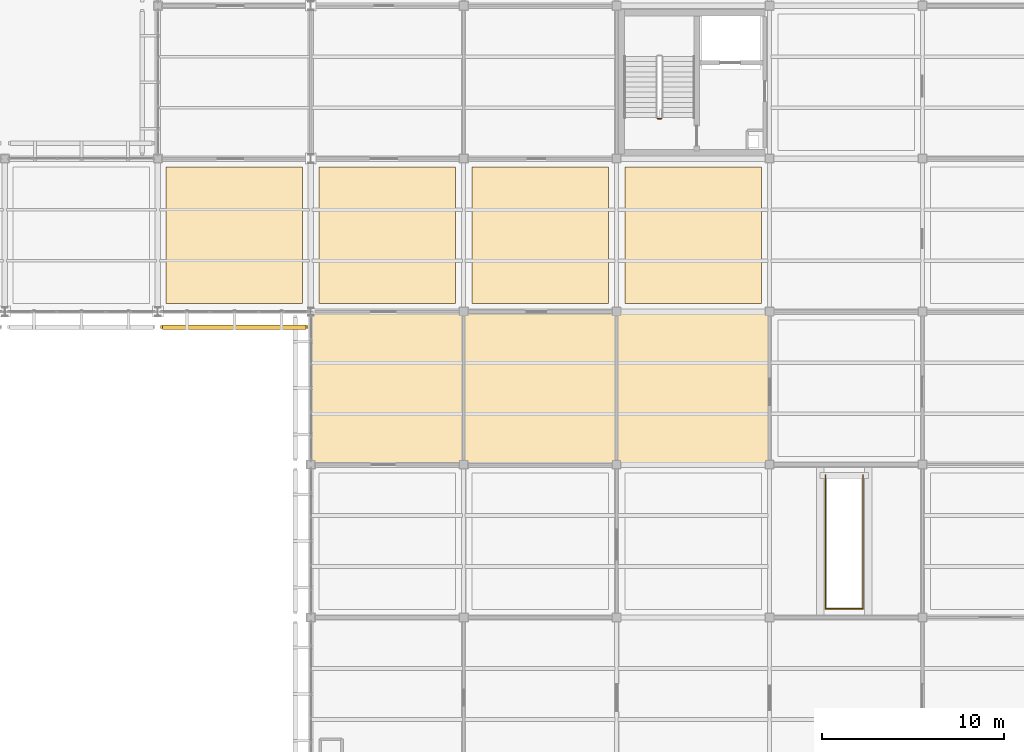
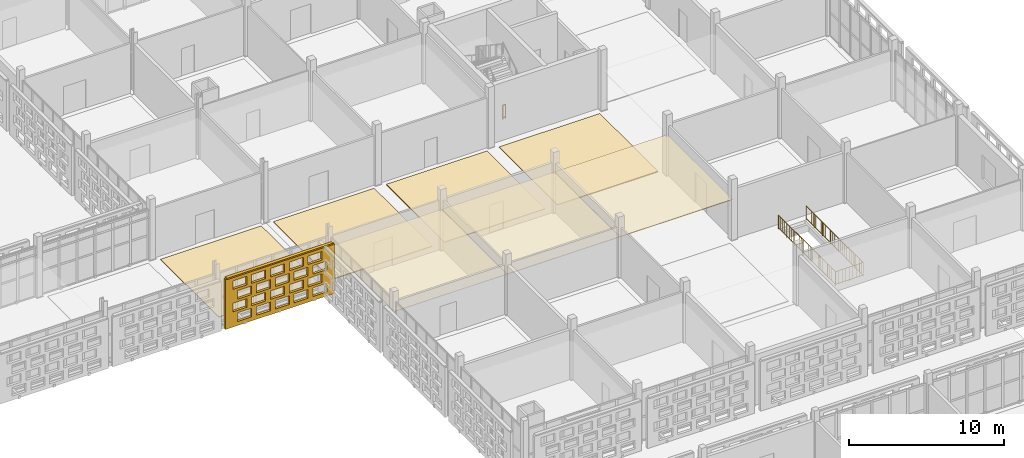
# One storey, part 197 of 203: 8 coverings, 4 railings, 1 shading device, 20 openings.
"""IFC4 building model written with IfcOpenShell, lengths in metres."""

import ifcopenshell
import ifcopenshell.guid

model = None  # the IFC model being written
_history = None  # IfcOwnerHistory: only IFC2X3 demands one
_inside = {}  # id of a spatial element -> (the spatial element, [elements in it])
_under = {}  # id of a project, library or spatial element -> (it, [spatial elements below it])
_declared = {}  # id of a project -> (the project, [libraries it declares])
_typed = {}  # id of a type object -> (the type object, [elements of that type])
_made_of = {}  # id of a material, layer set ... -> (it, [elements and type objects made of it])


def new_model(schema):
    """Start an empty IFC model of exactly this schema.

    Asked for "IFC4X3", IfcOpenShell would pick the latest addendum, in which some entities
    have other attributes; the version numbers below select the first issue.
    IFC2X3 requires an IfcOwnerHistory on every rooted entity: one is made here for all.
    """
    global model, _history
    if schema == "IFC4X3":
        model = ifcopenshell.file(schema_version=(4, 3, 0, 0))
    else:
        model = ifcopenshell.file(schema=schema)
    _inside.clear()
    _under.clear()
    _declared.clear()
    _typed.clear()
    _made_of.clear()
    _history = None
    if model.schema == "IFC2X3":
        org = make("IfcOrganization", Name="unknown")
        user = make(
            "IfcPersonAndOrganization",
            ThePerson=make("IfcPerson", FamilyName="unknown"),
            TheOrganization=org,
        )
        app = make(
            "IfcApplication",
            ApplicationDeveloper=org,
            Version="unknown",
            ApplicationFullName="unknown",
            ApplicationIdentifier="unknown",
        )
        _history = make(
            "IfcOwnerHistory",
            OwningUser=user,
            OwningApplication=app,
            ChangeAction="ADDED",
            CreationDate=0,
        )
    return model


def make(cls, **values):
    """One entity of the class cls with the attributes given. An attribute that is None is left unset."""
    return model.create_entity(
        cls, **{name: value for name, value in values.items() if value is not None}
    )


def rooted(cls, **values):
    """An entity with a GlobalId (a new one), such as an element, a storey or a relation."""
    return make(cls, GlobalId=ifcopenshell.guid.new(), OwnerHistory=_history, **values)


def si_unit(unit_type, name, prefix=None):
    """IfcSIUnit, for example si_unit("LENGTHUNIT", "METRE", prefix="MILLI")."""
    return make("IfcSIUnit", UnitType=unit_type, Prefix=prefix, Name=name)


def assignment(units):
    """IfcUnitAssignment: the units of a project."""
    return None if units is None else make("IfcUnitAssignment", Units=units)


def point(xyz):
    """IfcCartesianPoint."""
    return None if xyz is None else make("IfcCartesianPoint", Coordinates=xyz)


def direction(xyz):
    """IfcDirection."""
    return None if xyz is None else make("IfcDirection", DirectionRatios=xyz)


def frame(location, z_axis=None, x_axis=None):
    """IfcAxis2Placement3D, a coordinate frame: its origin and axes. An axis left out is left unset."""
    return make(
        "IfcAxis2Placement3D",
        Location=point(location),
        Axis=direction(z_axis),
        RefDirection=direction(x_axis),
    )


def frame_2d(location, x_axis=None):
    """IfcAxis2Placement2D, a coordinate frame in the plane: its origin and x axis."""
    return make(
        "IfcAxis2Placement2D", Location=point(location), RefDirection=direction(x_axis)
    )


def origin():
    """The frame at (0, 0, 0) with its axes left unset."""
    return frame((0.0, 0.0, 0.0))


def origin_2d():
    """The frame at (0, 0) in the plane with its x axis left unset."""
    return frame_2d((0.0, 0.0))


def place(relative_to, where):
    """IfcLocalPlacement: puts the frame where relative to a parent placement (None: the world)."""
    return make(
        "IfcLocalPlacement", PlacementRelTo=relative_to, RelativePlacement=where
    )


def context(
    kind, dimensions, precision=None, world=None, true_north=None, identifier=None
):
    """IfcGeometricRepresentationContext, for example the 3D "Model" context."""
    return make(
        "IfcGeometricRepresentationContext",
        ContextIdentifier=identifier,
        ContextType=kind,
        CoordinateSpaceDimension=dimensions,
        Precision=precision,
        WorldCoordinateSystem=world,
        TrueNorth=true_north,
    )


def subcontext(parent, identifier, kind, view, scale=None):
    """IfcGeometricRepresentationSubContext, for example "Body" below "Model"."""
    return make(
        "IfcGeometricRepresentationSubContext",
        ContextIdentifier=identifier,
        ContextType=kind,
        ParentContext=parent,
        TargetScale=scale,
        TargetView=view,
    )


def project(units=None, contexts=None):
    """IfcProject with its units and contexts."""
    return rooted(
        "IfcProject",
        Name="project",
        RepresentationContexts=contexts,
        UnitsInContext=assignment(units),
    )


def spatial(cls, under=None, at=None, **own):
    """A site, building, storey or space (cls), placed at a placement, below another one or the project."""
    s = rooted(cls, ObjectPlacement=at, **own)
    if under is not None:
        _under.setdefault(under.id(), (under, []))[1].append(s)
    return s


def profile(cls, at=None, kind="AREA", **sizes):
    """A parametric profile (cls). Its sizes go by their IFC names, for example OverallWidth=200.0."""
    return make(cls, ProfileType=kind, Position=at, **sizes)


def rectangle(**sizes):
    """IfcRectangleProfileDef."""
    return profile("IfcRectangleProfileDef", **sizes)


def circle(**sizes):
    """IfcCircleProfileDef."""
    return profile("IfcCircleProfileDef", **sizes)


def extrude(swept, where, along, depth):
    """IfcExtrudedAreaSolid: the profile swept, set in the frame where, extruded along a direction by depth."""
    return make(
        "IfcExtrudedAreaSolid",
        SweptArea=swept,
        Position=where,
        ExtrudedDirection=direction(along),
        Depth=depth,
    )


def shape(context_of_items, identifier, shape_type, items):
    """IfcShapeRepresentation: the items that make up one representation, for example the "Body"."""
    return make(
        "IfcShapeRepresentation",
        ContextOfItems=context_of_items,
        RepresentationIdentifier=identifier,
        RepresentationType=shape_type,
        Items=items,
    )


def material(Name=None, Category=None):
    """IfcMaterial."""
    return make("IfcMaterial", Name=Name, Category=Category)


def layer(
    of_material, thickness, ventilated=None, Name=None, Category=None, Priority=None
):
    """IfcMaterialLayer: one layer of a wall or slab, of a material (None: an air gap)."""
    return make(
        "IfcMaterialLayer",
        Material=of_material,
        LayerThickness=thickness,
        IsVentilated=ventilated,
        Name=Name,
        Category=Category,
        Priority=Priority,
    )


def layer_set(layers, Name=None):
    """IfcMaterialLayerSet."""
    return make("IfcMaterialLayerSet", MaterialLayers=layers, LayerSetName=Name)


def made_of(thing, what):
    """Note that an element or type object is made of a material, layer set ...; save() writes the relation."""
    if what is not None:
        _made_of.setdefault(what.id(), (what, []))[1].append(thing)
    return thing


def type_object(cls, material=None, **own):
    """A type object (cls), such as IfcWallType, which elements share."""
    return made_of(rooted(cls, **own), material)


def element(
    cls,
    number,
    at=None,
    inside=None,
    cuts=None,
    type_object=None,
    material=None,
    context=None,
    identifier="Body",
    shape_type=None,
    held_by="IfcProductDefinitionShape",
    body=None,
    shapes=None,
    **own,
):
    """One element of the class cls, such as IfcWall. Its Tag is "e" and its number.

    at: its placement. inside: the storey or other place that contains it. cuts: it is an
    opening in that element (IfcRelVoidsElement). A single representation is given by context,
    identifier, shape_type and body (its items); several are given by shapes. held_by: the class
    of the entity that holds the representations. save() writes the other relations.
    """
    e = rooted(cls, Tag="e%d" % number, ObjectPlacement=at, **own)
    if body is not None:
        shapes = [shape(context, identifier, shape_type, body)]
    if shapes is not None:
        e.Representation = make(held_by, Representations=shapes)
    if inside is not None:
        _inside.setdefault(inside.id(), (inside, []))[1].append(e)
    if cuts is not None:
        rooted(
            "IfcRelVoidsElement", RelatingBuildingElement=cuts, RelatedOpeningElement=e
        )
    if type_object is not None:
        _typed.setdefault(type_object.id(), (type_object, []))[1].append(e)
    return made_of(e, material)


def aggregate(whole, parts):
    """IfcRelAggregates: a whole, such as a stair, and the parts it consists of."""
    return rooted("IfcRelAggregates", RelatingObject=whole, RelatedObjects=parts)


def save(model, path):
    """Write the relations noted so far, then the file.

    IfcRelAggregates (storeys below a building ...), IfcRelContainedInSpatialStructure (elements
    in a storey), IfcRelDefinesByType, IfcRelAssociatesMaterial and IfcRelDeclares: one each for
    every whole, place, type object, material and project.
    """
    for whole, parts in _under.values():
        aggregate(whole, parts)
    for where, things in _inside.values():
        rooted(
            "IfcRelContainedInSpatialStructure",
            RelatedElements=things,
            RelatingStructure=where,
        )
    for kind, things in _typed.values():
        rooted("IfcRelDefinesByType", RelatedObjects=things, RelatingType=kind)
    for what, things in _made_of.values():
        rooted("IfcRelAssociatesMaterial", RelatedObjects=things, RelatingMaterial=what)
    for by, libraries in _declared.values():
        rooted("IfcRelDeclares", RelatingContext=by, RelatedDefinitions=libraries)
    model.write(path)


model = new_model("IFC4")

# Units and contexts
model_context = context("Model", 3, precision=1e-05, world=origin(), true_north=direction((0.0, 1.0)))
body_context = subcontext(model_context, "Body", "Model", "MODEL_VIEW")
ifc_project = project(units=[si_unit("LENGTHUNIT", "METRE"), si_unit("AREAUNIT", "SQUARE_METRE"), si_unit("VOLUMEUNIT", "CUBIC_METRE"), si_unit("PLANEANGLEUNIT", "RADIAN"), si_unit("MASSUNIT", "GRAM", prefix="KILO")], contexts=[model_context])

# Site, building, storey
site_placement = place(None, origin())
site = spatial("IfcSite", under=ifc_project, at=site_placement, CompositionType="ELEMENT")
building_placement = place(site_placement, origin())
building = spatial("IfcBuilding", under=site, at=building_placement, Name="Varnapada Polytechnic", CompositionType="ELEMENT")
storey_placement = place(building_placement, frame((0.0, 0.0, 4.800048828125)))
storey = spatial("IfcBuildingStorey", under=building, at=storey_placement, Name="L01", CompositionType="ELEMENT", Elevation=4.800048828125)

# Coverings
ifc_material_1 = material(Name="Anti-Static Raised Laboratory Flooring")
ifc_layer_1 = layer(ifc_material_1, 0.06005859375)
ifc_layer_set_1 = layer_set([ifc_layer_1], Name="Anti-Static Raised Laboratory Flooring")
covering_type_1 = type_object("IfcCoveringType", Name="Floor Finish FLR-02", PredefinedType="FLOORING", material=ifc_layer_set_1)
for number, where, z_axis, x_axis, name in (
    (1, (138.60009765625, 88.199951171875, 0.0), (0.0, 0.0, 1.0), (1.0, 0.0, 0.0), "L01 floor finish panel (17,11)"),
    (2, (147.0, 88.199951171875, 0.0), (0.0, 0.0, 1.0), (1.0, 0.0, 0.0), "L01 floor finish panel (18,11)"),
    (3, (155.39990234375, 88.199951171875, 0.0), (0.0, 0.0, 1.0), (1.0, 0.0, 0.0), "L01 floor finish panel (19,11)"),
):
    element("IfcCovering", number, at=place(storey_placement, frame(where, z_axis=z_axis, x_axis=x_axis)), inside=storey, type_object=covering_type_1, Name=name, PredefinedType="FLOORING", context=body_context, shape_type="SweptSolid", body=[
        extrude(rectangle(XDim=7.5, YDim=7.5, at=origin_2d()), origin(), (0.0, 0.0, 1.0), 0.06005859375),
    ])
ifc_material_2 = material(Name="Acoustic Rubber Seminar Flooring")
ifc_layer_2 = layer(ifc_material_2, 0.0400390625)
ifc_layer_set_2 = layer_set([ifc_layer_2], Name="Acoustic Rubber Seminar Flooring")
covering_type_2 = type_object("IfcCoveringType", Name="Floor Finish FLR-06", PredefinedType="FLOORING", material=ifc_layer_set_2)
covering_1_placement = place(storey_placement, frame((130.199951171875, 88.199951171875, 0.0), z_axis=(0.0, 0.0, 1.0), x_axis=(1.0, 0.0, 0.0)))
element("IfcCovering", 4, at=covering_1_placement, inside=storey, type_object=covering_type_2, Name="L01 floor finish panel (16,11)", PredefinedType="FLOORING", context=body_context, shape_type="SweptSolid", body=[
    extrude(rectangle(XDim=7.5, YDim=7.5, at=origin_2d()), origin(), (0.0, 0.0, 1.0), 0.0400390625),
])

# Railings
ifc_material_3 = material(Name="Brushed Stainless Steel 316", Category="steel")
railing_type = type_object("IfcRailingType", Name="Stair Well Guard Rail SGR-01", PredefinedType="BALUSTRADE", material=ifc_material_3)
railing_1_placement = place(storey_placement, frame((153.64990234375, 94.60009765625, 0.0)))
element("IfcRailing", 5, at=railing_1_placement, inside=storey, type_object=railing_type, Name="L01 ST-5 stair guard 4", PredefinedType="BALUSTRADE", context=body_context, shape_type="SweptSolid", body=[
    extrude(circle(Radius=0.02392578125, at=origin_2d()), frame((0.0, 0.0, 1.09619140625), z_axis=(-1.0, 0.0, 0.0), x_axis=(0.0, -1.0, 0.0)), (0.0, 0.0, 1.0), 0.199951171875),
    extrude(circle(Radius=0.02392578125, at=origin_2d()), frame((0.0, 0.0, 0.10009765625), z_axis=(-1.0, 0.0, 0.0), x_axis=(0.0, -1.0, 0.0)), (0.0, 0.0, 1.0), 0.199951171875),
    extrude(circle(Radius=0.02099609375, at=origin_2d()), origin(), (0.0, 0.0, 1.0), 1.072021484375),
    extrude(circle(Radius=0.02099609375, at=origin_2d()), frame((-0.199951171875, 0.0, 0.0)), (0.0, 0.0, 1.0), 1.072021484375),
])
railing_2_placement = place(storey_placement, frame((162.669921875, 67.679931640625, 0.0)))
element("IfcRailing", 6, at=railing_2_placement, inside=storey, type_object=railing_type, Name="L01 commons stair ST-F4 well guard 1", PredefinedType="BALUSTRADE", context=body_context, shape_type="SweptSolid", body=[
    extrude(circle(Radius=0.02392578125, at=origin_2d()), frame((0.0, 0.0, 1.09619140625), z_axis=(0.0, 1.0, 0.0), x_axis=(-1.0, 0.0, 0.0)), (0.0, 0.0, 1.0), 7.340087890625),
    extrude(circle(Radius=0.02392578125, at=origin_2d()), frame((0.0, 0.0, 0.10009765625), z_axis=(0.0, 1.0, 0.0), x_axis=(-1.0, 0.0, 0.0)), (0.0, 0.0, 1.0), 7.340087890625),
    extrude(circle(Radius=0.02099609375, at=origin_2d()), origin(), (0.0, 0.0, 1.0), 1.072021484375),
    extrude(circle(Radius=0.02099609375, at=origin_2d()), frame((0.0, 1.048583984375, 0.0)), (0.0, 0.0, 1.0), 1.072021484375),
    extrude(circle(Radius=0.02099609375, at=origin_2d()), frame((0.0, 2.09716796875, 0.0)), (0.0, 0.0, 1.0), 1.072021484375),
    extrude(circle(Radius=0.02099609375, at=origin_2d()), frame((0.0, 3.145751953125, 0.0)), (0.0, 0.0, 1.0), 1.072021484375),
    extrude(circle(Radius=0.02099609375, at=origin_2d()), frame((0.0, 4.1943359375, 0.0)), (0.0, 0.0, 1.0), 1.072021484375),
    extrude(circle(Radius=0.02099609375, at=origin_2d()), frame((0.0, 5.242919921875, 0.0)), (0.0, 0.0, 1.0), 1.072021484375),
    extrude(circle(Radius=0.02099609375, at=origin_2d()), frame((0.0, 6.29150390625, 0.0)), (0.0, 0.0, 1.0), 1.072021484375),
    extrude(circle(Radius=0.02099609375, at=origin_2d()), frame((0.0, 7.340087890625, 0.0)), (0.0, 0.0, 1.0), 1.072021484375),
    extrude(circle(Radius=0.010009765625, at=origin_2d()), frame((0.0, 0.24462890625, 0.10009765625)), (0.0, 0.0, 1.0), 0.971923828125),
    extrude(circle(Radius=0.010009765625, at=origin_2d()), frame((0.0, 0.4892578125, 0.10009765625)), (0.0, 0.0, 1.0), 0.971923828125),
    extrude(circle(Radius=0.010009765625, at=origin_2d()), frame((0.0, 0.73388671875, 0.10009765625)), (0.0, 0.0, 1.0), 0.971923828125),
    extrude(circle(Radius=0.010009765625, at=origin_2d()), frame((0.0, 0.978759765625, 0.10009765625)), (0.0, 0.0, 1.0), 0.971923828125),
    extrude(circle(Radius=0.010009765625, at=origin_2d()), frame((0.0, 1.223388671875, 0.10009765625)), (0.0, 0.0, 1.0), 0.971923828125),
    extrude(circle(Radius=0.010009765625, at=origin_2d()), frame((0.0, 1.468017578125, 0.10009765625)), (0.0, 0.0, 1.0), 0.971923828125),
    extrude(circle(Radius=0.010009765625, at=origin_2d()), frame((0.0, 1.712646484375, 0.10009765625)), (0.0, 0.0, 1.0), 0.971923828125),
    extrude(circle(Radius=0.010009765625, at=origin_2d()), frame((0.0, 1.957275390625, 0.10009765625)), (0.0, 0.0, 1.0), 0.971923828125),
    extrude(circle(Radius=0.010009765625, at=origin_2d()), frame((0.0, 2.2021484375, 0.10009765625)), (0.0, 0.0, 1.0), 0.971923828125),
    extrude(circle(Radius=0.010009765625, at=origin_2d()), frame((0.0, 2.44677734375, 0.10009765625)), (0.0, 0.0, 1.0), 0.971923828125),
    extrude(circle(Radius=0.010009765625, at=origin_2d()), frame((0.0, 2.69140625, 0.10009765625)), (0.0, 0.0, 1.0), 0.971923828125),
    extrude(circle(Radius=0.010009765625, at=origin_2d()), frame((0.0, 2.93603515625, 0.10009765625)), (0.0, 0.0, 1.0), 0.971923828125),
    extrude(circle(Radius=0.010009765625, at=origin_2d()), frame((0.0, 3.1806640625, 0.10009765625)), (0.0, 0.0, 1.0), 0.971923828125),
    extrude(circle(Radius=0.010009765625, at=origin_2d()), frame((0.0, 3.42529296875, 0.10009765625)), (0.0, 0.0, 1.0), 0.971923828125),
    extrude(circle(Radius=0.010009765625, at=origin_2d()), frame((0.0, 3.669921875, 0.10009765625)), (0.0, 0.0, 1.0), 0.971923828125),
    extrude(circle(Radius=0.010009765625, at=origin_2d()), frame((0.0, 3.914794921875, 0.10009765625)), (0.0, 0.0, 1.0), 0.971923828125),
    extrude(circle(Radius=0.010009765625, at=origin_2d()), frame((0.0, 4.159423828125, 0.10009765625)), (0.0, 0.0, 1.0), 0.971923828125),
    extrude(circle(Radius=0.010009765625, at=origin_2d()), frame((0.0, 4.404052734375, 0.10009765625)), (0.0, 0.0, 1.0), 0.971923828125),
    extrude(circle(Radius=0.010009765625, at=origin_2d()), frame((0.0, 4.648681640625, 0.10009765625)), (0.0, 0.0, 1.0), 0.971923828125),
    extrude(circle(Radius=0.010009765625, at=origin_2d()), frame((0.0, 4.893310546875, 0.10009765625)), (0.0, 0.0, 1.0), 0.971923828125),
    extrude(circle(Radius=0.010009765625, at=origin_2d()), frame((0.0, 5.13818359375, 0.10009765625)), (0.0, 0.0, 1.0), 0.971923828125),
    extrude(circle(Radius=0.010009765625, at=origin_2d()), frame((0.0, 5.3828125, 0.10009765625)), (0.0, 0.0, 1.0), 0.971923828125),
    extrude(circle(Radius=0.010009765625, at=origin_2d()), frame((0.0, 5.62744140625, 0.10009765625)), (0.0, 0.0, 1.0), 0.971923828125),
    extrude(circle(Radius=0.010009765625, at=origin_2d()), frame((0.0, 5.8720703125, 0.10009765625)), (0.0, 0.0, 1.0), 0.971923828125),
    extrude(circle(Radius=0.010009765625, at=origin_2d()), frame((0.0, 6.11669921875, 0.10009765625)), (0.0, 0.0, 1.0), 0.971923828125),
    extrude(circle(Radius=0.010009765625, at=origin_2d()), frame((0.0, 6.361328125, 0.10009765625)), (0.0, 0.0, 1.0), 0.971923828125),
    extrude(circle(Radius=0.010009765625, at=origin_2d()), frame((0.0, 6.60595703125, 0.10009765625)), (0.0, 0.0, 1.0), 0.971923828125),
    extrude(circle(Radius=0.010009765625, at=origin_2d()), frame((0.0, 6.850830078125, 0.10009765625)), (0.0, 0.0, 1.0), 0.971923828125),
    extrude(circle(Radius=0.010009765625, at=origin_2d()), frame((0.0, 7.095458984375, 0.10009765625)), (0.0, 0.0, 1.0), 0.971923828125),
])
railing_3_placement = place(storey_placement, frame((164.72998046875, 67.679931640625, 0.0)))
element("IfcRailing", 7, at=railing_3_placement, inside=storey, type_object=railing_type, Name="L01 commons stair ST-F4 well guard 2", PredefinedType="BALUSTRADE", context=body_context, shape_type="SweptSolid", body=[
    extrude(circle(Radius=0.02392578125, at=origin_2d()), frame((0.0, 0.0, 1.09619140625), z_axis=(0.0, 1.0, 0.0), x_axis=(-1.0, 0.0, 0.0)), (0.0, 0.0, 1.0), 7.340087890625),
    extrude(circle(Radius=0.02392578125, at=origin_2d()), frame((0.0, 0.0, 0.10009765625), z_axis=(0.0, 1.0, 0.0), x_axis=(-1.0, 0.0, 0.0)), (0.0, 0.0, 1.0), 7.340087890625),
    extrude(circle(Radius=0.02099609375, at=origin_2d()), origin(), (0.0, 0.0, 1.0), 1.072021484375),
    extrude(circle(Radius=0.02099609375, at=origin_2d()), frame((0.0, 1.048583984375, 0.0)), (0.0, 0.0, 1.0), 1.072021484375),
    extrude(circle(Radius=0.02099609375, at=origin_2d()), frame((0.0, 2.09716796875, 0.0)), (0.0, 0.0, 1.0), 1.072021484375),
    extrude(circle(Radius=0.02099609375, at=origin_2d()), frame((0.0, 3.145751953125, 0.0)), (0.0, 0.0, 1.0), 1.072021484375),
    extrude(circle(Radius=0.02099609375, at=origin_2d()), frame((0.0, 4.1943359375, 0.0)), (0.0, 0.0, 1.0), 1.072021484375),
    extrude(circle(Radius=0.02099609375, at=origin_2d()), frame((0.0, 5.242919921875, 0.0)), (0.0, 0.0, 1.0), 1.072021484375),
    extrude(circle(Radius=0.02099609375, at=origin_2d()), frame((0.0, 6.29150390625, 0.0)), (0.0, 0.0, 1.0), 1.072021484375),
    extrude(circle(Radius=0.02099609375, at=origin_2d()), frame((0.0, 7.340087890625, 0.0)), (0.0, 0.0, 1.0), 1.072021484375),
    extrude(circle(Radius=0.010009765625, at=origin_2d()), frame((0.0, 0.24462890625, 0.10009765625)), (0.0, 0.0, 1.0), 0.971923828125),
    extrude(circle(Radius=0.010009765625, at=origin_2d()), frame((0.0, 0.4892578125, 0.10009765625)), (0.0, 0.0, 1.0), 0.971923828125),
    extrude(circle(Radius=0.010009765625, at=origin_2d()), frame((0.0, 0.73388671875, 0.10009765625)), (0.0, 0.0, 1.0), 0.971923828125),
    extrude(circle(Radius=0.010009765625, at=origin_2d()), frame((0.0, 0.978759765625, 0.10009765625)), (0.0, 0.0, 1.0), 0.971923828125),
    extrude(circle(Radius=0.010009765625, at=origin_2d()), frame((0.0, 1.223388671875, 0.10009765625)), (0.0, 0.0, 1.0), 0.971923828125),
    extrude(circle(Radius=0.010009765625, at=origin_2d()), frame((0.0, 1.468017578125, 0.10009765625)), (0.0, 0.0, 1.0), 0.971923828125),
    extrude(circle(Radius=0.010009765625, at=origin_2d()), frame((0.0, 1.712646484375, 0.10009765625)), (0.0, 0.0, 1.0), 0.971923828125),
    extrude(circle(Radius=0.010009765625, at=origin_2d()), frame((0.0, 1.957275390625, 0.10009765625)), (0.0, 0.0, 1.0), 0.971923828125),
    extrude(circle(Radius=0.010009765625, at=origin_2d()), frame((0.0, 2.2021484375, 0.10009765625)), (0.0, 0.0, 1.0), 0.971923828125),
    extrude(circle(Radius=0.010009765625, at=origin_2d()), frame((0.0, 2.44677734375, 0.10009765625)), (0.0, 0.0, 1.0), 0.971923828125),
    extrude(circle(Radius=0.010009765625, at=origin_2d()), frame((0.0, 2.69140625, 0.10009765625)), (0.0, 0.0, 1.0), 0.971923828125),
    extrude(circle(Radius=0.010009765625, at=origin_2d()), frame((0.0, 2.93603515625, 0.10009765625)), (0.0, 0.0, 1.0), 0.971923828125),
    extrude(circle(Radius=0.010009765625, at=origin_2d()), frame((0.0, 3.1806640625, 0.10009765625)), (0.0, 0.0, 1.0), 0.971923828125),
    extrude(circle(Radius=0.010009765625, at=origin_2d()), frame((0.0, 3.42529296875, 0.10009765625)), (0.0, 0.0, 1.0), 0.971923828125),
    extrude(circle(Radius=0.010009765625, at=origin_2d()), frame((0.0, 3.669921875, 0.10009765625)), (0.0, 0.0, 1.0), 0.971923828125),
    extrude(circle(Radius=0.010009765625, at=origin_2d()), frame((0.0, 3.914794921875, 0.10009765625)), (0.0, 0.0, 1.0), 0.971923828125),
    extrude(circle(Radius=0.010009765625, at=origin_2d()), frame((0.0, 4.159423828125, 0.10009765625)), (0.0, 0.0, 1.0), 0.971923828125),
    extrude(circle(Radius=0.010009765625, at=origin_2d()), frame((0.0, 4.404052734375, 0.10009765625)), (0.0, 0.0, 1.0), 0.971923828125),
    extrude(circle(Radius=0.010009765625, at=origin_2d()), frame((0.0, 4.648681640625, 0.10009765625)), (0.0, 0.0, 1.0), 0.971923828125),
    extrude(circle(Radius=0.010009765625, at=origin_2d()), frame((0.0, 4.893310546875, 0.10009765625)), (0.0, 0.0, 1.0), 0.971923828125),
    extrude(circle(Radius=0.010009765625, at=origin_2d()), frame((0.0, 5.13818359375, 0.10009765625)), (0.0, 0.0, 1.0), 0.971923828125),
    extrude(circle(Radius=0.010009765625, at=origin_2d()), frame((0.0, 5.3828125, 0.10009765625)), (0.0, 0.0, 1.0), 0.971923828125),
    extrude(circle(Radius=0.010009765625, at=origin_2d()), frame((0.0, 5.62744140625, 0.10009765625)), (0.0, 0.0, 1.0), 0.971923828125),
    extrude(circle(Radius=0.010009765625, at=origin_2d()), frame((0.0, 5.8720703125, 0.10009765625)), (0.0, 0.0, 1.0), 0.971923828125),
    extrude(circle(Radius=0.010009765625, at=origin_2d()), frame((0.0, 6.11669921875, 0.10009765625)), (0.0, 0.0, 1.0), 0.971923828125),
    extrude(circle(Radius=0.010009765625, at=origin_2d()), frame((0.0, 6.361328125, 0.10009765625)), (0.0, 0.0, 1.0), 0.971923828125),
    extrude(circle(Radius=0.010009765625, at=origin_2d()), frame((0.0, 6.60595703125, 0.10009765625)), (0.0, 0.0, 1.0), 0.971923828125),
    extrude(circle(Radius=0.010009765625, at=origin_2d()), frame((0.0, 6.850830078125, 0.10009765625)), (0.0, 0.0, 1.0), 0.971923828125),
    extrude(circle(Radius=0.010009765625, at=origin_2d()), frame((0.0, 7.095458984375, 0.10009765625)), (0.0, 0.0, 1.0), 0.971923828125),
])
railing_4_placement = place(storey_placement, frame((162.669921875, 67.679931640625, 0.0)))
element("IfcRailing", 8, at=railing_4_placement, inside=storey, type_object=railing_type, Name="L01 commons stair ST-F4 well guard 3", PredefinedType="BALUSTRADE", context=body_context, shape_type="SweptSolid", body=[
    extrude(circle(Radius=0.02392578125, at=origin_2d()), frame((0.0, 0.0, 1.09619140625), z_axis=(1.0, 0.0, 0.0), x_axis=(0.0, 1.0, 0.0)), (0.0, 0.0, 1.0), 2.06005859375),
    extrude(circle(Radius=0.02392578125, at=origin_2d()), frame((0.0, 0.0, 0.10009765625), z_axis=(1.0, 0.0, 0.0), x_axis=(0.0, 1.0, 0.0)), (0.0, 0.0, 1.0), 2.06005859375),
    extrude(circle(Radius=0.02099609375, at=origin_2d()), origin(), (0.0, 0.0, 1.0), 1.072021484375),
    extrude(circle(Radius=0.02099609375, at=origin_2d()), frame((1.030029296875, 0.0, 0.0)), (0.0, 0.0, 1.0), 1.072021484375),
    extrude(circle(Radius=0.02099609375, at=origin_2d()), frame((2.06005859375, 0.0, 0.0)), (0.0, 0.0, 1.0), 1.072021484375),
    extrude(circle(Radius=0.010009765625, at=origin_2d()), frame((0.257568359375, 0.0, 0.10009765625)), (0.0, 0.0, 1.0), 0.971923828125),
    extrude(circle(Radius=0.010009765625, at=origin_2d()), frame((0.51513671875, 0.0, 0.10009765625)), (0.0, 0.0, 1.0), 0.971923828125),
    extrude(circle(Radius=0.010009765625, at=origin_2d()), frame((0.7724609375, 0.0, 0.10009765625)), (0.0, 0.0, 1.0), 0.971923828125),
    extrude(circle(Radius=0.010009765625, at=origin_2d()), frame((1.030029296875, 0.0, 0.10009765625)), (0.0, 0.0, 1.0), 0.971923828125),
    extrude(circle(Radius=0.010009765625, at=origin_2d()), frame((1.28759765625, 0.0, 0.10009765625)), (0.0, 0.0, 1.0), 0.971923828125),
    extrude(circle(Radius=0.010009765625, at=origin_2d()), frame((1.544921875, 0.0, 0.10009765625)), (0.0, 0.0, 1.0), 0.971923828125),
    extrude(circle(Radius=0.010009765625, at=origin_2d()), frame((1.802490234375, 0.0, 0.10009765625)), (0.0, 0.0, 1.0), 0.971923828125),
])

# Coverings
ifc_material_4 = material(Name="Perforated Timber Slatted Baffle Ceiling", Category="wood")
ifc_layer_3 = layer(ifc_material_4, 0.050048828125)
ifc_layer_set_3 = layer_set([ifc_layer_3], Name="Perforated Timber Slatted Baffle Ceiling")
covering_type_3 = type_object("IfcCoveringType", Name="Suspended Ceiling CLG-02", PredefinedType="CEILING", material=ifc_layer_set_3)
covering_2_placement = place(storey_placement, frame((155.39990234375, 79.800048828125, 3.02490234375), z_axis=(0.0, 0.0, 1.0), x_axis=(1.0, 0.0, 0.0)))
element("IfcCovering", 9, at=covering_2_placement, inside=storey, type_object=covering_type_3, Name="L01 suspended acoustic ceiling (19,10)", PredefinedType="CEILING", context=body_context, shape_type="SweptSolid", body=[
    extrude(rectangle(XDim=8.419921875, YDim=8.419921875, at=origin_2d()), origin(), (0.0, 0.0, 1.0), 0.050048828125),
])
ifc_material_5 = material(Name="Micro-Perforated Gypsum Acoustic Ceiling")
ifc_layer_4 = layer(ifc_material_5, 0.044921875)
ifc_layer_set_4 = layer_set([ifc_layer_4], Name="Micro-Perforated Gypsum Acoustic Ceiling")
covering_type_4 = type_object("IfcCoveringType", Name="Suspended Ceiling CLG-04", PredefinedType="CEILING", material=ifc_layer_set_4)
covering_3_placement = place(storey_placement, frame((147.0, 79.800048828125, 3.027587890625), z_axis=(0.0, 0.0, 1.0), x_axis=(1.0, 0.0, 0.0)))
element("IfcCovering", 10, at=covering_3_placement, inside=storey, type_object=covering_type_4, Name="L01 suspended acoustic ceiling (18,10)", PredefinedType="CEILING", context=body_context, shape_type="SweptSolid", body=[
    extrude(rectangle(XDim=8.419921875, YDim=8.419921875, at=origin_2d()), origin(), (0.0, 0.0, 1.0), 0.044921875),
])
ifc_material_6 = material(Name="Cleanroom Laboratory Metal Pan Ceiling")
ifc_layer_5 = layer(ifc_material_6, 0.034912109375)
ifc_layer_set_5 = layer_set([ifc_layer_5], Name="Cleanroom Laboratory Metal Pan Ceiling")
covering_type_5 = type_object("IfcCoveringType", Name="Suspended Ceiling CLG-06", PredefinedType="CEILING", material=ifc_layer_set_5)
covering_4_placement = place(storey_placement, frame((138.60009765625, 79.800048828125, 3.03271484375), z_axis=(0.0, 0.0, 1.0), x_axis=(1.0, 0.0, 0.0)))
element("IfcCovering", 11, at=covering_4_placement, inside=storey, type_object=covering_type_5, Name="L01 suspended acoustic ceiling (17,10)", PredefinedType="CEILING", context=body_context, shape_type="SweptSolid", body=[
    extrude(rectangle(XDim=8.419921875, YDim=8.419921875, at=origin_2d()), origin(), (0.0, 0.0, 1.0), 0.034912109375),
])

# Covering, openings
ifc_material_7 = material(Name="Earth-toned architectural terracotta screen block", Category="masonry")
ifc_layer_6 = layer(ifc_material_7, 0.1201171875)
ifc_layer_set_6 = layer_set([ifc_layer_6], Name="Earth-toned architectural terracotta screen block")
covering_type_6 = type_object("IfcCoveringType", Name="Terracotta Screen Cladding CLD-01", PredefinedType="CLADDING", material=ifc_layer_set_6)
covering_5_placement = place(storey_placement, frame((134.25, 83.14990234375, 0.0), z_axis=(0.0, 0.0, 1.0), x_axis=(-1.0, 0.0, 0.0)))
covering_5 = element("IfcCovering", 12, at=covering_5_placement, inside=storey, type_object=covering_type_6, Name="L01 perforated terracotta block screen (107)", PredefinedType="CLADDING", context=body_context, shape_type="SweptSolid", body=[
    extrude(rectangle(XDim=8.10009765625, YDim=0.179931640625, at=frame_2d((4.050048828125, 0.0))), origin(), (0.0, 0.0, 1.0), 3.919921875),
])
opening_1_placement = place(covering_5_placement, frame((0.550048828125, 0.0, 0.313720703125)))
element("IfcOpeningElement", 13, at=opening_1_placement, cuts=covering_5, Name="Screen perforation TBS-L01-106.1", PredefinedType="OPENING", context=body_context, shape_type="SweptSolid", body=[
    extrude(rectangle(XDim=1.0400390625, YDim=0.679931640625, at=frame_2d((0.52001953125, 0.33984375))), frame((0.0, 0.099853515625, 0.0), z_axis=(0.0, -1.0, 0.0), x_axis=(1.0, 0.0, 0.0)), (0.0, 0.0, 1.0), 0.199951171875),
])
opening_2_placement = place(covering_5_placement, frame((1.949951171875, 0.0, 0.313720703125)))
element("IfcOpeningElement", 14, at=opening_2_placement, cuts=covering_5, Name="Screen perforation TBS-L01-106.2", PredefinedType="OPENING", context=body_context, shape_type="SweptSolid", body=[
    extrude(rectangle(XDim=1.0400390625, YDim=0.679931640625, at=frame_2d((0.52001953125, 0.33984375))), frame((0.0, 0.099853515625, 0.0), z_axis=(0.0, -1.0, 0.0), x_axis=(1.0, 0.0, 0.0)), (0.0, 0.0, 1.0), 0.199951171875),
])
opening_3_placement = place(covering_5_placement, frame((3.35009765625, 0.0, 0.313720703125)))
element("IfcOpeningElement", 15, at=opening_3_placement, cuts=covering_5, Name="Screen perforation TBS-L01-106.3", PredefinedType="OPENING", context=body_context, shape_type="SweptSolid", body=[
    extrude(rectangle(XDim=1.0400390625, YDim=0.679931640625, at=frame_2d((0.52001953125, 0.33984375))), frame((0.0, 0.099853515625, 0.0), z_axis=(0.0, -1.0, 0.0), x_axis=(1.0, 0.0, 0.0)), (0.0, 0.0, 1.0), 0.199951171875),
])
opening_4_placement = place(covering_5_placement, frame((4.75, 0.0, 0.313720703125)))
element("IfcOpeningElement", 16, at=opening_4_placement, cuts=covering_5, Name="Screen perforation TBS-L01-106.4", PredefinedType="OPENING", context=body_context, shape_type="SweptSolid", body=[
    extrude(rectangle(XDim=1.0400390625, YDim=0.679931640625, at=frame_2d((0.52001953125, 0.33984375))), frame((0.0, 0.099853515625, 0.0), z_axis=(0.0, -1.0, 0.0), x_axis=(1.0, 0.0, 0.0)), (0.0, 0.0, 1.0), 0.199951171875),
])
opening_5_placement = place(covering_5_placement, frame((6.14990234375, 0.0, 0.313720703125)))
element("IfcOpeningElement", 17, at=opening_5_placement, cuts=covering_5, Name="Screen perforation TBS-L01-106.5", PredefinedType="OPENING", context=body_context, shape_type="SweptSolid", body=[
    extrude(rectangle(XDim=1.0400390625, YDim=0.679931640625, at=frame_2d((0.52001953125, 0.33984375))), frame((0.0, 0.099853515625, 0.0), z_axis=(0.0, -1.0, 0.0), x_axis=(1.0, 0.0, 0.0)), (0.0, 0.0, 1.0), 0.199951171875),
])
opening_6_placement = place(covering_5_placement, frame((0.909912109375, 0.0, 1.195556640625)))
element("IfcOpeningElement", 18, at=opening_6_placement, cuts=covering_5, Name="Screen perforation TBS-L01-106.6", PredefinedType="OPENING", context=body_context, shape_type="SweptSolid", body=[
    extrude(rectangle(XDim=1.0400390625, YDim=0.679931640625, at=frame_2d((0.52001953125, 0.33984375))), frame((0.0, 0.099853515625, 0.0), z_axis=(0.0, -1.0, 0.0), x_axis=(1.0, 0.0, 0.0)), (0.0, 0.0, 1.0), 0.199951171875),
])
opening_7_placement = place(covering_5_placement, frame((2.31005859375, 0.0, 1.195556640625)))
element("IfcOpeningElement", 19, at=opening_7_placement, cuts=covering_5, Name="Screen perforation TBS-L01-106.7", PredefinedType="OPENING", context=body_context, shape_type="SweptSolid", body=[
    extrude(rectangle(XDim=1.0400390625, YDim=0.679931640625, at=frame_2d((0.52001953125, 0.33984375))), frame((0.0, 0.099853515625, 0.0), z_axis=(0.0, -1.0, 0.0), x_axis=(1.0, 0.0, 0.0)), (0.0, 0.0, 1.0), 0.199951171875),
])
opening_8_placement = place(covering_5_placement, frame((3.7099609375, 0.0, 1.195556640625)))
element("IfcOpeningElement", 20, at=opening_8_placement, cuts=covering_5, Name="Screen perforation TBS-L01-106.8", PredefinedType="OPENING", context=body_context, shape_type="SweptSolid", body=[
    extrude(rectangle(XDim=1.0400390625, YDim=0.679931640625, at=frame_2d((0.52001953125, 0.33984375))), frame((0.0, 0.099853515625, 0.0), z_axis=(0.0, -1.0, 0.0), x_axis=(1.0, 0.0, 0.0)), (0.0, 0.0, 1.0), 0.199951171875),
])
opening_9_placement = place(covering_5_placement, frame((5.110107421875, 0.0, 1.195556640625)))
element("IfcOpeningElement", 21, at=opening_9_placement, cuts=covering_5, Name="Screen perforation TBS-L01-106.9", PredefinedType="OPENING", context=body_context, shape_type="SweptSolid", body=[
    extrude(rectangle(XDim=1.0400390625, YDim=0.679931640625, at=frame_2d((0.52001953125, 0.33984375))), frame((0.0, 0.099853515625, 0.0), z_axis=(0.0, -1.0, 0.0), x_axis=(1.0, 0.0, 0.0)), (0.0, 0.0, 1.0), 0.199951171875),
])
opening_10_placement = place(covering_5_placement, frame((6.510009765625, 0.0, 1.195556640625)))
element("IfcOpeningElement", 22, at=opening_10_placement, cuts=covering_5, Name="Screen perforation TBS-L01-106.10", PredefinedType="OPENING", context=body_context, shape_type="SweptSolid", body=[
    extrude(rectangle(XDim=1.0400390625, YDim=0.679931640625, at=frame_2d((0.52001953125, 0.33984375))), frame((0.0, 0.099853515625, 0.0), z_axis=(0.0, -1.0, 0.0), x_axis=(1.0, 0.0, 0.0)), (0.0, 0.0, 1.0), 0.199951171875),
])
opening_11_placement = place(covering_5_placement, frame((0.550048828125, 0.0, 2.07763671875)))
element("IfcOpeningElement", 23, at=opening_11_placement, cuts=covering_5, Name="Screen perforation TBS-L01-106.11", PredefinedType="OPENING", context=body_context, shape_type="SweptSolid", body=[
    extrude(rectangle(XDim=1.0400390625, YDim=0.679931640625, at=frame_2d((0.52001953125, 0.33984375))), frame((0.0, 0.099853515625, 0.0), z_axis=(0.0, -1.0, 0.0), x_axis=(1.0, 0.0, 0.0)), (0.0, 0.0, 1.0), 0.199951171875),
])
opening_12_placement = place(covering_5_placement, frame((1.949951171875, 0.0, 2.07763671875)))
element("IfcOpeningElement", 24, at=opening_12_placement, cuts=covering_5, Name="Screen perforation TBS-L01-106.12", PredefinedType="OPENING", context=body_context, shape_type="SweptSolid", body=[
    extrude(rectangle(XDim=1.0400390625, YDim=0.679931640625, at=frame_2d((0.52001953125, 0.33984375))), frame((0.0, 0.099853515625, 0.0), z_axis=(0.0, -1.0, 0.0), x_axis=(1.0, 0.0, 0.0)), (0.0, 0.0, 1.0), 0.199951171875),
])
opening_13_placement = place(covering_5_placement, frame((3.35009765625, 0.0, 2.07763671875)))
element("IfcOpeningElement", 25, at=opening_13_placement, cuts=covering_5, Name="Screen perforation TBS-L01-106.13", PredefinedType="OPENING", context=body_context, shape_type="SweptSolid", body=[
    extrude(rectangle(XDim=1.0400390625, YDim=0.679931640625, at=frame_2d((0.52001953125, 0.33984375))), frame((0.0, 0.099853515625, 0.0), z_axis=(0.0, -1.0, 0.0), x_axis=(1.0, 0.0, 0.0)), (0.0, 0.0, 1.0), 0.199951171875),
])
opening_14_placement = place(covering_5_placement, frame((4.75, 0.0, 2.07763671875)))
element("IfcOpeningElement", 26, at=opening_14_placement, cuts=covering_5, Name="Screen perforation TBS-L01-106.14", PredefinedType="OPENING", context=body_context, shape_type="SweptSolid", body=[
    extrude(rectangle(XDim=1.0400390625, YDim=0.679931640625, at=frame_2d((0.52001953125, 0.33984375))), frame((0.0, 0.099853515625, 0.0), z_axis=(0.0, -1.0, 0.0), x_axis=(1.0, 0.0, 0.0)), (0.0, 0.0, 1.0), 0.199951171875),
])
opening_15_placement = place(covering_5_placement, frame((6.14990234375, 0.0, 2.07763671875)))
element("IfcOpeningElement", 27, at=opening_15_placement, cuts=covering_5, Name="Screen perforation TBS-L01-106.15", PredefinedType="OPENING", context=body_context, shape_type="SweptSolid", body=[
    extrude(rectangle(XDim=1.0400390625, YDim=0.679931640625, at=frame_2d((0.52001953125, 0.33984375))), frame((0.0, 0.099853515625, 0.0), z_axis=(0.0, -1.0, 0.0), x_axis=(1.0, 0.0, 0.0)), (0.0, 0.0, 1.0), 0.199951171875),
])
opening_16_placement = place(covering_5_placement, frame((0.909912109375, 0.0, 2.959716796875)))
element("IfcOpeningElement", 28, at=opening_16_placement, cuts=covering_5, Name="Screen perforation TBS-L01-106.16", PredefinedType="OPENING", context=body_context, shape_type="SweptSolid", body=[
    extrude(rectangle(XDim=1.0400390625, YDim=0.679931640625, at=frame_2d((0.52001953125, 0.33984375))), frame((0.0, 0.099853515625, 0.0), z_axis=(0.0, -1.0, 0.0), x_axis=(1.0, 0.0, 0.0)), (0.0, 0.0, 1.0), 0.199951171875),
])
opening_17_placement = place(covering_5_placement, frame((2.31005859375, 0.0, 2.959716796875)))
element("IfcOpeningElement", 29, at=opening_17_placement, cuts=covering_5, Name="Screen perforation TBS-L01-106.17", PredefinedType="OPENING", context=body_context, shape_type="SweptSolid", body=[
    extrude(rectangle(XDim=1.0400390625, YDim=0.679931640625, at=frame_2d((0.52001953125, 0.33984375))), frame((0.0, 0.099853515625, 0.0), z_axis=(0.0, -1.0, 0.0), x_axis=(1.0, 0.0, 0.0)), (0.0, 0.0, 1.0), 0.199951171875),
])
opening_18_placement = place(covering_5_placement, frame((3.7099609375, 0.0, 2.959716796875)))
element("IfcOpeningElement", 30, at=opening_18_placement, cuts=covering_5, Name="Screen perforation TBS-L01-106.18", PredefinedType="OPENING", context=body_context, shape_type="SweptSolid", body=[
    extrude(rectangle(XDim=1.0400390625, YDim=0.679931640625, at=frame_2d((0.52001953125, 0.33984375))), frame((0.0, 0.099853515625, 0.0), z_axis=(0.0, -1.0, 0.0), x_axis=(1.0, 0.0, 0.0)), (0.0, 0.0, 1.0), 0.199951171875),
])
opening_19_placement = place(covering_5_placement, frame((5.110107421875, 0.0, 2.959716796875)))
element("IfcOpeningElement", 31, at=opening_19_placement, cuts=covering_5, Name="Screen perforation TBS-L01-106.19", PredefinedType="OPENING", context=body_context, shape_type="SweptSolid", body=[
    extrude(rectangle(XDim=1.0400390625, YDim=0.679931640625, at=frame_2d((0.52001953125, 0.33984375))), frame((0.0, 0.099853515625, 0.0), z_axis=(0.0, -1.0, 0.0), x_axis=(1.0, 0.0, 0.0)), (0.0, 0.0, 1.0), 0.199951171875),
])
opening_20_placement = place(covering_5_placement, frame((6.510009765625, 0.0, 2.959716796875)))
element("IfcOpeningElement", 32, at=opening_20_placement, cuts=covering_5, Name="Screen perforation TBS-L01-106.20", PredefinedType="OPENING", context=body_context, shape_type="SweptSolid", body=[
    extrude(rectangle(XDim=1.0400390625, YDim=0.679931640625, at=frame_2d((0.52001953125, 0.33984375))), frame((0.0, 0.099853515625, 0.0), z_axis=(0.0, -1.0, 0.0), x_axis=(1.0, 0.0, 0.0)), (0.0, 0.0, 1.0), 0.199951171875),
])

# Shading device
ifc_layer_7 = layer(ifc_material_7, 0.179931640625)
ifc_layer_set_7 = layer_set([ifc_layer_7], Name="Earth-toned architectural terracotta screen block")
shading_device_type = type_object("IfcShadingDeviceType", Name="Terracotta Screen SCR-02", PredefinedType="USERDEFINED", material=ifc_layer_set_7)
shading_device_placement = place(storey_placement, frame((130.199951171875, 83.14990234375, 3.909912109375), z_axis=(0.0, 0.0, 1.0), x_axis=(-1.0, 0.0, 0.0)))
element("IfcShadingDevice", 33, at=shading_device_placement, inside=storey, type_object=shading_device_type, Name="L01 perforated terracotta screen hood 186", ObjectType="SCREEN", PredefinedType="USERDEFINED", context=body_context, shape_type="SweptSolid", body=[
    extrude(rectangle(XDim=7.89990234375, YDim=0.239990234375, at=origin_2d()), origin(), (0.0, 0.0, 1.0), 0.10009765625),
])

save(model, "model.ifc")
